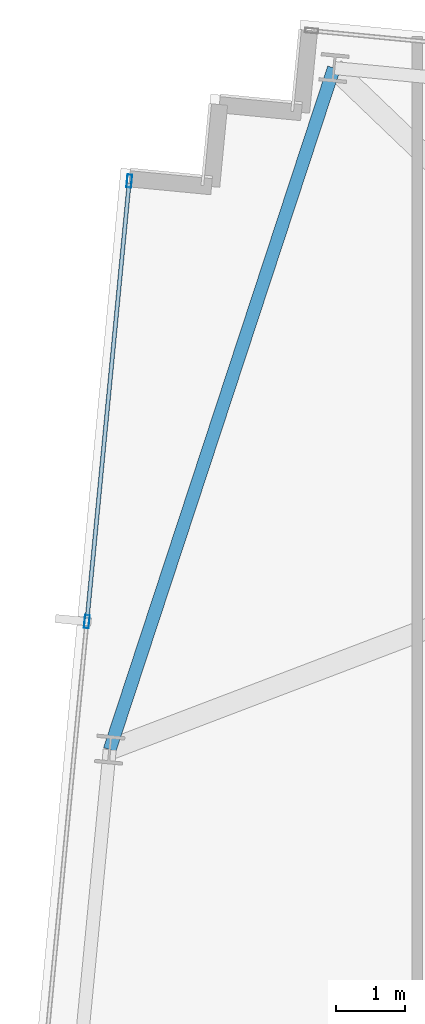
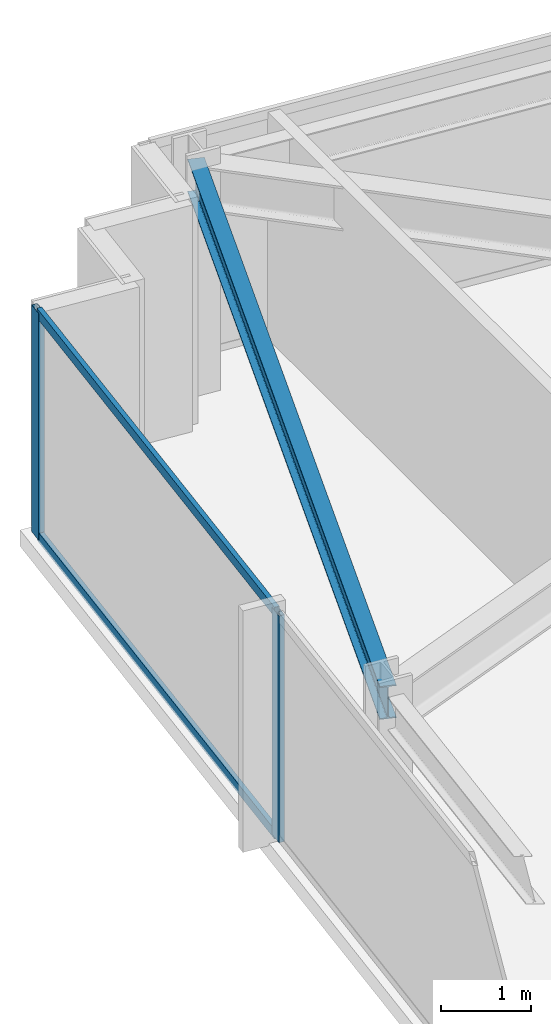
# One storey, part 21 of 37: 4 members, 1 beam, 1 element without a shape of its own.
"""IFC4 building model written with IfcOpenShell, lengths in metres."""

from ifc_helpers import new_model, si_unit, direction, frame, origin, origin_2d, place, context, subcontext, project, spatial, hollow_rectangle, i_section, extrude, material, material_profile, profile_set, type_object, element, aggregate, save


model = new_model("IFC4")

# Units and contexts
model_context = context("Model", 3, precision=1e-05, world=origin(), true_north=direction((0.0, 1.0)))
body_context = subcontext(model_context, "Body", "Model", "MODEL_VIEW")
ifc_project = project(units=[si_unit("LENGTHUNIT", "METRE"), si_unit("AREAUNIT", "SQUARE_METRE"), si_unit("VOLUMEUNIT", "CUBIC_METRE"), si_unit("PLANEANGLEUNIT", "RADIAN"), si_unit("MASSUNIT", "GRAM", prefix="KILO")], contexts=[model_context])

# Site, building, storey
site_placement = place(None, origin())
site = spatial("IfcSite", under=ifc_project, at=site_placement, CompositionType="ELEMENT")
building_placement = place(site_placement, origin())
building = spatial("IfcBuilding", under=site, at=building_placement, Name="Yelkora Congress Tower", CompositionType="ELEMENT")
storey_placement = place(building_placement, frame((0.0, 0.0, 165.5)))
storey = spatial("IfcBuildingStorey", under=building, at=storey_placement, Name="L45", CompositionType="ELEMENT", Elevation=165.5)

# Beam
ifc_material_1 = material(Name="Steel S355J2", Category="steel")
ifc_material_profile_1 = material_profile(ifc_material_1, i_section(OverallWidth=0.18994140625, OverallDepth=0.449951171875, WebThickness=0.009521484375, FlangeThickness=0.0146484375, FilletRadius=0.02099609375, at=origin_2d()), Name="IPE 450")
ifc_profile_set_1 = profile_set([ifc_material_profile_1], Name="Steel S355J2")
beam_type = type_object("IfcBeamType", Name="BM-SPAN-IPE450", PredefinedType="SPANDREL", material=ifc_profile_set_1)
beam_placement = place(storey_placement, frame((7.388916015625, 50.390625, 2.85498046875), z_axis=(-0.312456737339, -0.949931990877, 0.0), x_axis=(0.949931990877, -0.312456737339, 0.0)))
element("IfcBeam", 1, at=beam_placement, inside=storey, type_object=beam_type, Name="L45 Perimeter Beam 16", PredefinedType="SPANDREL", context=body_context, shape_type="SweptSolid", body=[
    extrude(i_section(OverallWidth=0.18994140625, OverallDepth=0.449951171875, WebThickness=0.009521484375, FlangeThickness=0.0146484375, FilletRadius=0.02099609375, at=origin_2d()), origin(), (0.0, 0.0, 1.0), 10.4560546875),
])

# Curtain wall, members
ifc_material_2 = material(Name="Anodised aluminium and insulated glass", Category="aluminium")
curtain_wall_type = type_object("IfcCurtainWallType", Name="CW-SYS-B3", PredefinedType="NOTDEFINED", material=ifc_material_2)
curtain_wall_placement = place(storey_placement, origin())
curtain_wall = element("IfcCurtainWall", 2, at=curtain_wall_placement, inside=storey, type_object=curtain_wall_type, Name="L45 Unitised Curtain Wall 5", PredefinedType="NOTDEFINED")
ifc_material_3 = material(Name="Anodised aluminium 6063-T6", Category="aluminium")
ifc_material_profile_2 = material_profile(ifc_material_3, hollow_rectangle(XDim=0.070068359375, YDim=0.18994140625, WallThickness=0.00390625, at=origin_2d()), Name="ALU 70x190x4")
ifc_profile_set_2 = profile_set([ifc_material_profile_2], Name="Anodised aluminium 6063-T6")
member_type_1 = type_object("IfcMemberType", Name="MEM-ML-B3", PredefinedType="MULLION", material=ifc_profile_set_2)
member_1_placement = place(storey_placement, frame((3.7890625, 42.324462890625, 0.0), z_axis=(0.0, 0.0, 1.0), x_axis=(-0.995396242473, 0.095845294465, 0.0)))
member_1 = element("IfcMember", 3, at=member_1_placement, type_object=member_type_1, Name="CW-B3 mullion 5", PredefinedType="MULLION", context=body_context, shape_type="SweptSolid", body=[
    extrude(hollow_rectangle(XDim=0.070068359375, YDim=0.18994140625, WallThickness=0.00390625, at=origin_2d()), origin(), (0.0, 0.0, 1.0), 3.080078125),
])
member_2_placement = place(storey_placement, frame((4.4072265625, 48.74365234375, 0.0), z_axis=(0.0, 0.0, 1.0), x_axis=(-0.995396242473, 0.095845294465, 0.0)))
member_2 = element("IfcMember", 4, at=member_2_placement, type_object=member_type_1, Name="CW-B3 mullion 6", PredefinedType="MULLION", context=body_context, shape_type="SweptSolid", body=[
    extrude(hollow_rectangle(XDim=0.070068359375, YDim=0.18994140625, WallThickness=0.00390625, at=origin_2d()), origin(), (0.0, 0.0, 1.0), 3.080078125),
])
ifc_material_profile_3 = material_profile(ifc_material_3, hollow_rectangle(XDim=0.06005859375, YDim=0.1298828125, WallThickness=0.00390625, at=origin_2d()), Name="ALU 60x130x4")
ifc_profile_set_3 = profile_set([ifc_material_profile_3], Name="Anodised aluminium 6063-T6")
member_type_2 = type_object("IfcMemberType", Name="MEM-TR-B3", PredefinedType="USERDEFINED", material=ifc_profile_set_3)
member_3_placement = place(storey_placement, frame((3.79248046875, 42.359375, 0.030029296875), z_axis=(0.095834923543, 0.99539724102, 0.0), x_axis=(-0.99539724102, 0.095834923543, 0.0)))
member_3 = element("IfcMember", 5, at=member_3_placement, type_object=member_type_2, Name="CW-B3 transom 5.1", ObjectType="TRANSOM", PredefinedType="USERDEFINED", context=body_context, shape_type="SweptSolid", body=[
    extrude(hollow_rectangle(XDim=0.06005859375, YDim=0.1298828125, WallThickness=0.00390625, at=origin_2d()), origin(), (0.0, 0.0, 1.0), 6.37890625),
])
member_4_placement = place(storey_placement, frame((3.79248046875, 42.359375, 3.050048828125), z_axis=(0.095834923543, 0.99539724102, 0.0), x_axis=(-0.99539724102, 0.095834923543, 0.0)))
member_4 = element("IfcMember", 6, at=member_4_placement, type_object=member_type_2, Name="CW-B3 transom 5.2", ObjectType="TRANSOM", PredefinedType="USERDEFINED", context=body_context, shape_type="SweptSolid", body=[
    extrude(hollow_rectangle(XDim=0.06005859375, YDim=0.1298828125, WallThickness=0.00390625, at=origin_2d()), origin(), (0.0, 0.0, 1.0), 6.37890625),
])
aggregate(curtain_wall, [member_1, member_2, member_3, member_4])

save(model, "model.ifc")
